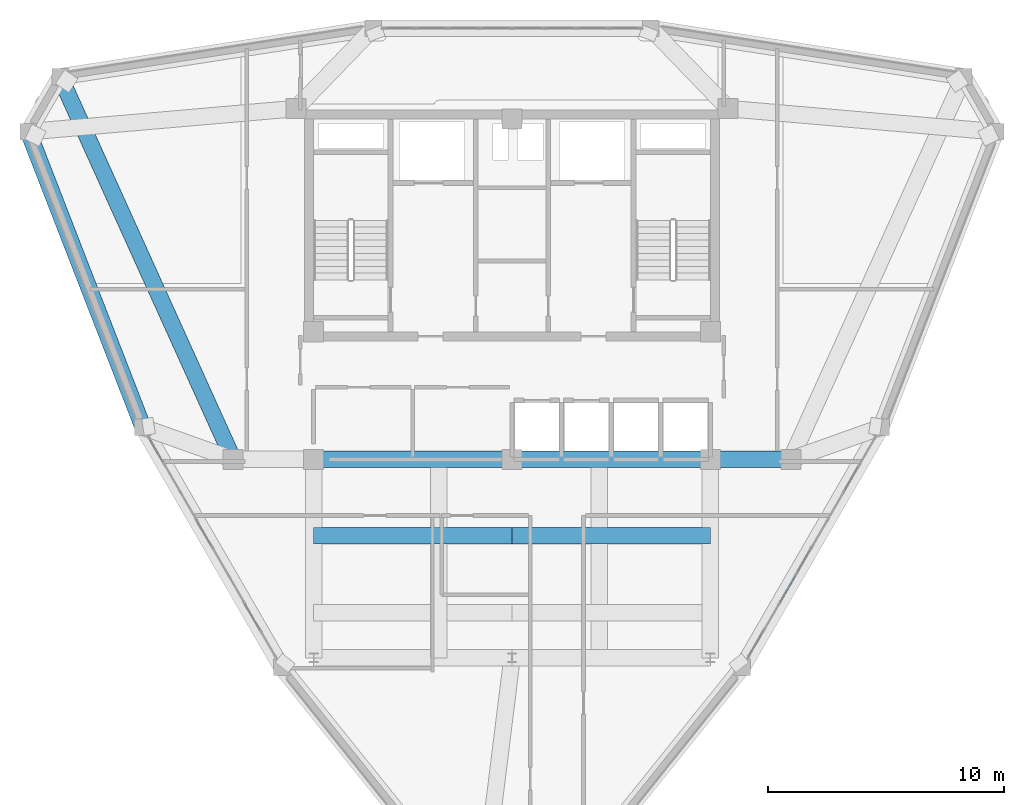
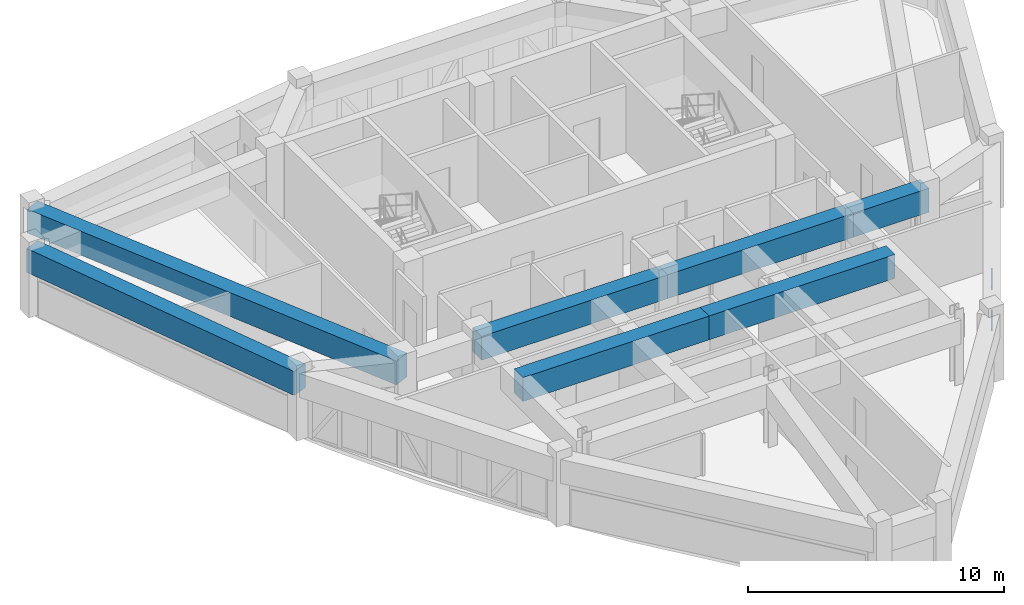
# One storey, part 6 of 14: 7 beams, 2 members, 1 element without a shape of its own.
"""IFC4 building model written with IfcOpenShell, lengths in metres."""

from ifc_helpers import new_model, si_unit, derived_unit, direction, frame, origin, origin_2d, place, context, subcontext, project, spatial, rectangle, hollow_rectangle, extrude, source, transform, mapped, material, layer, layer_set, material_profile, profile_set, type_object, element, aggregate, save


model = new_model("IFC4")

# Units and contexts
model_context = context("Model", 3, precision=1e-05, world=origin(), true_north=direction((0.0, 1.0)))
body_context = subcontext(model_context, "Body", "Model", "MODEL_VIEW")
ifc_project = project(units=[si_unit("LENGTHUNIT", "METRE"), si_unit("AREAUNIT", "SQUARE_METRE"), si_unit("VOLUMEUNIT", "CUBIC_METRE"), si_unit("PLANEANGLEUNIT", "RADIAN"), si_unit("MASSUNIT", "GRAM", prefix="KILO"), derived_unit("THERMALTRANSMITTANCEUNIT", [(si_unit("POWERUNIT", "WATT"), 1), (si_unit("LENGTHUNIT", "METRE"), -2), (si_unit("THERMODYNAMICTEMPERATUREUNIT", "KELVIN"), -1)])], contexts=[model_context])

# Site, building, storey
site_placement = place(None, origin())
site = spatial("IfcSite", under=ifc_project, at=site_placement, CompositionType="ELEMENT")
building_placement = place(site_placement, origin())
building = spatial("IfcBuilding", under=site, at=building_placement, Name="Korsvarv Bourse and Concert Hall", CompositionType="ELEMENT")
storey_placement = place(building_placement, frame((0.0, 0.0, 271.800048828125)))
storey = spatial("IfcBuildingStorey", under=building, at=storey_placement, Name="L71", CompositionType="ELEMENT", Elevation=271.800048828125)

# Beams
ifc_material_1 = material(Name="Concrete C50/60", Category="concrete")
ifc_material_profile_1 = material_profile(ifc_material_1, rectangle(XDim=0.699951171875, YDim=1.139892578125, at=origin_2d()), Name="RC-BM 700x1140")
ifc_profile_set_1 = profile_set([ifc_material_profile_1], Name="Concrete C50/60")
beam_type = type_object("IfcBeamType", Name="BM-TR-114", PredefinedType="BEAM", material=ifc_profile_set_1)
shared_shape_1 = source(origin(), body_context, "Body", "SweptSolid", [
    extrude(rectangle(XDim=0.699951171875, YDim=1.139892578125, at=origin_2d()), origin(), (0.0, 0.0, 1.0), 8.39990234375),
])
for number, where, z_axis, x_axis, name in (
    (1, (27.60009765625, 29.159912109375, 2.60986328125), (1.0, 0.0, 0.0), (0.0, 1.0, 0.0), "L71 beam B-TR5"),
    (2, (36.0, 29.159912109375, 2.60986328125), (1.0, 0.0, 0.0), (0.0, 1.0, 0.0), "L71 beam B-TR5"),
    (3, (27.60009765625, 32.39990234375, 2.60986328125), (1.0, 0.0, 0.0), (0.0, 1.0, 0.0), "L71 beam B-TR5"),
    (4, (36.0, 32.39990234375, 2.60986328125), (1.0, 0.0, 0.0), (0.0, 1.0, 0.0), "L71 beam B-TR5"),
):
    element("IfcBeam", number, at=place(storey_placement, frame(where, z_axis=z_axis, x_axis=x_axis)), inside=storey, type_object=beam_type, Name=name, PredefinedType="BEAM", context=body_context, shape_type="MappedRepresentation", body=[
        mapped(shared_shape_1, transform((0.0, 0.0, 0.0), scale=1.0)),
    ])
shared_shape_2 = source(origin(), body_context, "Body", "SweptSolid", [
    extrude(rectangle(XDim=0.699951171875, YDim=1.139892578125, at=origin_2d()), origin(), (0.0, 0.0, 1.0), 3.400146484375),
])
beam_1_placement = place(storey_placement, frame((44.39990234375, 32.39990234375, 2.60986328125), z_axis=(1.0, 0.0, 0.0), x_axis=(0.0, 1.0, 0.0)))
element("IfcBeam", 5, at=beam_1_placement, inside=storey, type_object=beam_type, Name="L71 beam B-TR5", PredefinedType="BEAM", context=body_context, shape_type="MappedRepresentation", body=[
    mapped(shared_shape_2, transform((0.0, 0.0, 0.0), scale=1.0)),
])
shared_shape_3 = source(origin(), body_context, "Body", "SweptSolid", [
    extrude(rectangle(XDim=0.699951171875, YDim=1.139892578125, at=origin_2d()), origin(), (0.0, 0.0, 1.0), 13.415771484375),
])
beam_2_placement = place(storey_placement, frame((15.52587890625, 46.266357421875, 2.60986328125), z_axis=(0.361883280092, -0.932223412917, 0.0), x_axis=(0.932223412917, 0.361883280092, 0.0)))
element("IfcBeam", 6, at=beam_2_placement, inside=storey, type_object=beam_type, Name="L71 beam B-TR5", PredefinedType="BEAM", context=body_context, shape_type="MappedRepresentation", body=[
    mapped(shared_shape_3, transform((0.0, 0.0, 0.0), scale=1.0)),
])
shared_shape_4 = source(origin(), body_context, "Body", "SweptSolid", [
    extrude(rectangle(XDim=0.699951171875, YDim=1.139892578125, at=origin_2d()), origin(), (0.0, 0.0, 1.0), 17.7783203125),
])
beam_3_placement = place(storey_placement, frame((16.8720703125, 48.597900390625, 2.60986328125), z_axis=(0.412177912252, -0.911103379783, 0.0), x_axis=(0.911103379783, 0.412177912252, 0.0)))
element("IfcBeam", 7, at=beam_3_placement, inside=storey, type_object=beam_type, Name="L71 beam B-TR5", PredefinedType="BEAM", context=body_context, shape_type="MappedRepresentation", body=[
    mapped(shared_shape_4, transform((0.0, 0.0, 0.0), scale=1.0)),
])

# Curtain wall, members
ifc_material_2 = material(Name="Anodised aluminium and triple low-E glazing", Category="glass")
ifc_layer = layer(ifc_material_2, 0.199951171875)
ifc_layer_set = layer_set([ifc_layer], Name="Anodised aluminium and triple low-E glazing")
curtain_wall_type = type_object("IfcCurtainWallType", Name="CW-SYS-3", PredefinedType="NOTDEFINED", material=ifc_layer_set)
curtain_wall_placement = place(storey_placement, origin())
curtain_wall = element("IfcCurtainWall", 8, at=curtain_wall_placement, inside=storey, type_object=curtain_wall_type, Name="L71 CW3 curtain wall CW-L71-F11", PredefinedType="NOTDEFINED")
ifc_material_3 = material(Name="Extruded aluminium EN AW-6063 T66", Category="aluminium")
ifc_material_profile_2 = material_profile(ifc_material_3, hollow_rectangle(XDim=0.06494140625, YDim=0.139892578125, WallThickness=0.00390625, at=origin_2d()), Name="ALU-T 65x140")
ifc_profile_set_2 = profile_set([ifc_material_profile_2], Name="Extruded aluminium EN AW-6063 T66")
member_type = type_object("IfcMemberType", Name="CWT-140", PredefinedType="USERDEFINED", material=ifc_profile_set_2)
shared_shape_5 = source(origin(), body_context, "Body", "SweptSolid", [
    extrude(hollow_rectangle(XDim=0.06494140625, YDim=0.139892578125, WallThickness=0.00390625, at=origin_2d()), origin(), (0.0, 0.0, 1.0), 1.28173828125),
])
member_1_placement = place(storey_placement, frame((47.35009765625, 26.365478515625, 0.032470703125), z_axis=(0.49996976238, 0.866042860778, 0.0), x_axis=(-0.866042860778, 0.49996976238, 0.0)))
member_1 = element("IfcMember", 9, at=member_1_placement, type_object=member_type, Name="CW3 transom 3.1", ObjectType="TRANSOM", PredefinedType="USERDEFINED", context=body_context, shape_type="MappedRepresentation", body=[
    mapped(shared_shape_5, transform((0.0, 0.0, 0.0), scale=1.0)),
])
member_2_placement = place(storey_placement, frame((47.35009765625, 26.365478515625, 2.007568359375), z_axis=(0.49996976238, 0.866042860778, 0.0), x_axis=(-0.866042860778, 0.49996976238, 0.0)))
member_2 = element("IfcMember", 10, at=member_2_placement, type_object=member_type, Name="CW3 transom 3.2", ObjectType="TRANSOM", PredefinedType="USERDEFINED", context=body_context, shape_type="MappedRepresentation", body=[
    mapped(shared_shape_5, transform((0.0, 0.0, 0.0), scale=1.0)),
])
aggregate(curtain_wall, [member_1, member_2])

save(model, "model.ifc")
